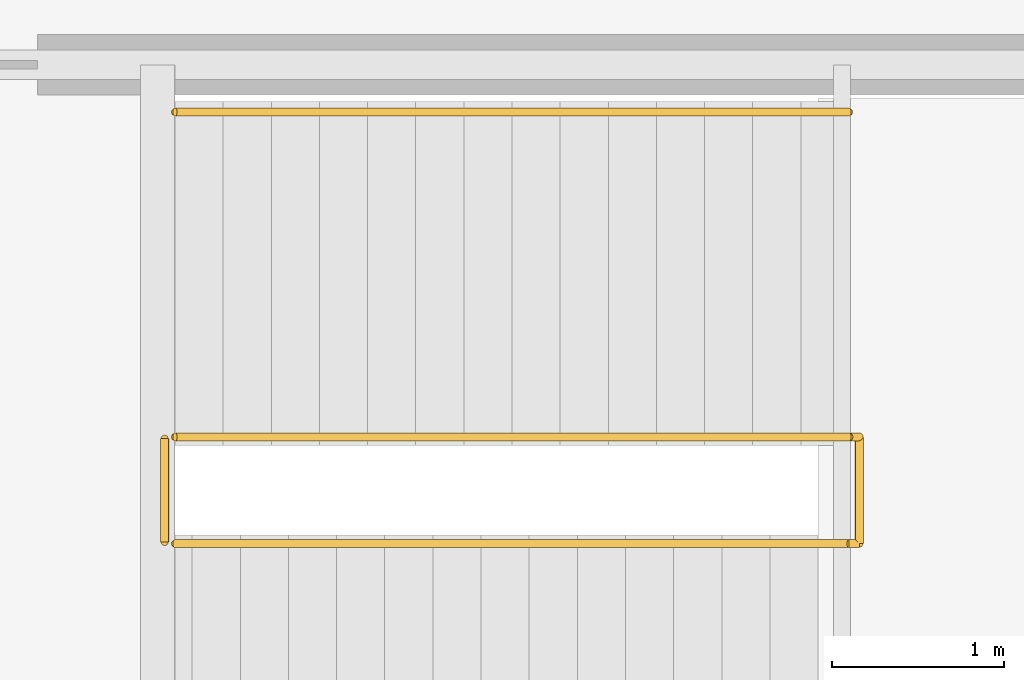
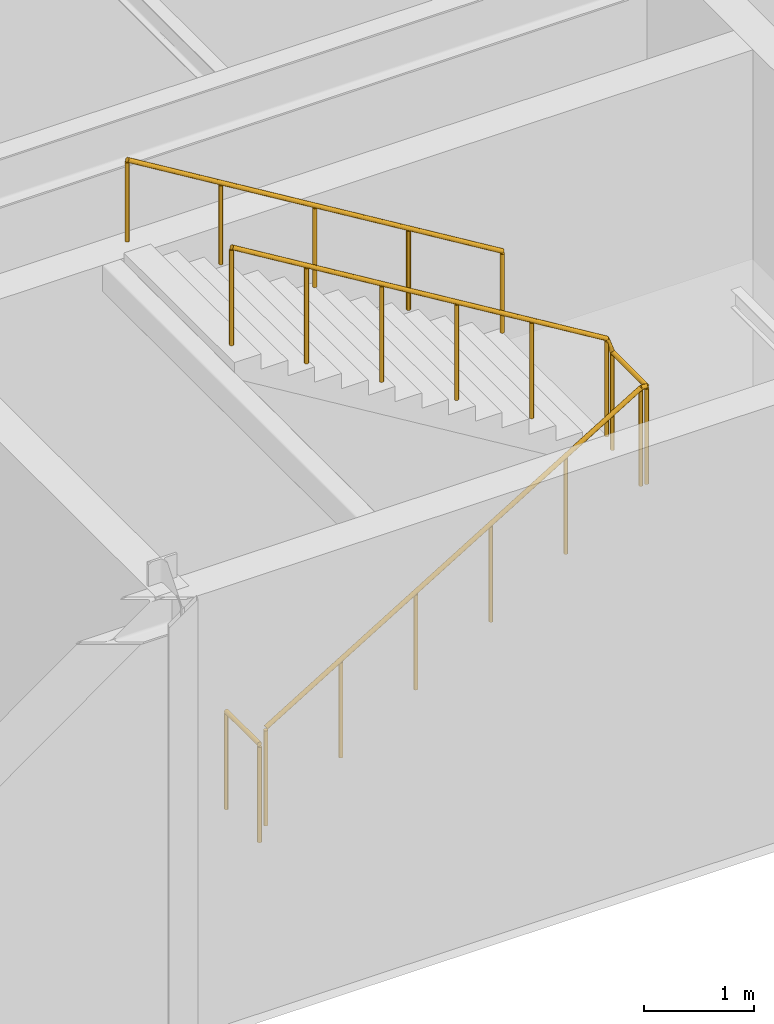
# One storey, part 74 of 79: 3 railings.
"""IFC4 building model written with IfcOpenShell, lengths in metres."""

from ifc_helpers import new_model, si_unit, direction, frame, origin, origin_2d, place, context, subcontext, project, spatial, circle, extrude, material, type_object, element, save


model = new_model("IFC4")

# Units and contexts
model_context = context("Model", 3, precision=1e-05, world=origin(), true_north=direction((0.0, 1.0)))
body_context = subcontext(model_context, "Body", "Model", "MODEL_VIEW")
ifc_project = project(units=[si_unit("LENGTHUNIT", "METRE"), si_unit("AREAUNIT", "SQUARE_METRE"), si_unit("VOLUMEUNIT", "CUBIC_METRE"), si_unit("PLANEANGLEUNIT", "RADIAN"), si_unit("MASSUNIT", "GRAM", prefix="KILO")], contexts=[model_context])

# Site, building, storey
site_placement = place(None, origin())
site = spatial("IfcSite", under=ifc_project, at=site_placement, CompositionType="ELEMENT")
building_placement = place(site_placement, origin())
building = spatial("IfcBuilding", under=site, at=building_placement, Name="Shalkamar Park Central Library", CompositionType="ELEMENT")
storey_placement = place(building_placement, frame((0.0, 0.0, 10.5)))
storey = spatial("IfcBuildingStorey", under=building, at=storey_placement, Name="L03", CompositionType="ELEMENT", Elevation=10.5)

# Railings
ifc_material = material(Name="Steel S355", Category="steel")
railing_type_1 = type_object("IfcRailingType", Name="Stair Guardrail 1100", PredefinedType="GUARDRAIL", material=ifc_material)
railing_1_placement = place(storey_placement, frame((248.22509765625, 250.56494140625, 0.169921875)))
element("IfcRailing", 1, at=railing_1_placement, inside=storey, type_object=railing_type_1, Name="Stair Inner Well Guardrail ST-P3-L03", PredefinedType="GUARDRAIL", context=body_context, shape_type="SweptSolid", body=[
    extrude(circle(Radius=0.02392578125, at=origin_2d()), frame((0.0, 0.0, 1.076171875), z_axis=(0.854770645689, 0.0, 0.519005918337), x_axis=(0.0, 1.0, 0.0)), (0.0, 0.0, 1.0), 4.5859375),
    extrude(circle(Radius=0.02392578125, at=origin_2d()), frame((3.919921875, 0.0, 3.4560546875), z_axis=(1.0, 0.0, 0.0), x_axis=(0.0, 1.0, 0.0)), (0.0, 0.0, 1.0), 0.06005859375),
    extrude(circle(Radius=0.02392578125, at=origin_2d()), frame((3.97998046875, 0.0, 3.4560546875), z_axis=(0.0, 1.0, 0.0), x_axis=(-1.0, 0.0, 0.0)), (0.0, 0.0, 1.0), 0.6201171875),
    extrude(circle(Radius=0.02392578125, at=origin_2d()), frame((3.97998046875, 0.6201171875, 3.4560546875), z_axis=(-0.333245237307, 0.0, 0.942840183601), x_axis=(0.0, -1.0, 0.0)), (0.0, 0.0, 1.0), 0.18017578125),
    extrude(circle(Radius=0.02392578125, at=origin_2d()), frame((3.919921875, 0.6201171875, 3.6259765625), z_axis=(-0.854770645689, 0.0, 0.519005918337), x_axis=(0.0, -1.0, 0.0)), (0.0, 0.0, 1.0), 4.5859375),
    extrude(circle(Radius=0.02099609375, at=origin_2d()), origin(), (0.0, 0.0, 1.0), 1.052001953125),
    extrude(circle(Radius=0.02099609375, at=origin_2d()), frame((0.783935546875, 0.0, 0.47607421875)), (0.0, 0.0, 1.0), 1.052001953125),
    extrude(circle(Radius=0.02099609375, at=origin_2d()), frame((1.56787109375, 0.0, 0.9521484375)), (0.0, 0.0, 1.0), 1.052001953125),
    extrude(circle(Radius=0.02099609375, at=origin_2d()), frame((2.35205078125, 0.0, 1.427978515625)), (0.0, 0.0, 1.0), 1.052001953125),
    extrude(circle(Radius=0.02099609375, at=origin_2d()), frame((3.135986328125, 0.0, 1.904052734375)), (0.0, 0.0, 1.0), 1.052001953125),
    extrude(circle(Radius=0.02099609375, at=origin_2d()), frame((3.919921875, 0.0, 2.380126953125)), (0.0, 0.0, 1.0), 1.052001953125),
    extrude(circle(Radius=0.02099609375, at=origin_2d()), frame((3.97998046875, 0.0, 2.380126953125)), (0.0, 0.0, 1.0), 1.052001953125),
    extrude(circle(Radius=0.02099609375, at=origin_2d()), frame((3.97998046875, 0.6201171875, 2.380126953125)), (0.0, 0.0, 1.0), 1.052001953125),
    extrude(circle(Radius=0.02099609375, at=origin_2d()), frame((3.919921875, 0.6201171875, 2.550048828125)), (0.0, 0.0, 1.0), 1.052001953125),
    extrude(circle(Radius=0.02099609375, at=origin_2d()), frame((3.135986328125, 0.6201171875, 3.026123046875)), (0.0, 0.0, 1.0), 1.052001953125),
    extrude(circle(Radius=0.02099609375, at=origin_2d()), frame((2.35205078125, 0.6201171875, 3.502197265625)), (0.0, 0.0, 1.0), 1.052001953125),
    extrude(circle(Radius=0.02099609375, at=origin_2d()), frame((1.56787109375, 0.6201171875, 3.97802734375)), (0.0, 0.0, 1.0), 1.052001953125),
    extrude(circle(Radius=0.02099609375, at=origin_2d()), frame((0.783935546875, 0.6201171875, 4.4541015625)), (0.0, 0.0, 1.0), 1.052001953125),
    extrude(circle(Radius=0.02099609375, at=origin_2d()), frame((0.0, 0.6201171875, 4.93017578125)), (0.0, 0.0, 1.0), 1.052001953125),
])
railing_2_placement = place(storey_placement, frame((248.1650390625, 250.574951171875, 0.0)))
element("IfcRailing", 2, at=railing_2_placement, inside=storey, type_object=railing_type_1, Name="Stair Arrival Well Guardrail ST-P3 (L03)", PredefinedType="GUARDRAIL", context=body_context, shape_type="SweptSolid", body=[
    extrude(circle(Radius=0.02392578125, at=origin_2d()), frame((0.0, 0.0, 1.076171875), z_axis=(0.0, 1.0, 0.0), x_axis=(-1.0, 0.0, 0.0)), (0.0, 0.0, 1.0), 0.60009765625),
    extrude(circle(Radius=0.02099609375, at=origin_2d()), origin(), (0.0, 0.0, 1.0), 1.052001953125),
    extrude(circle(Radius=0.02099609375, at=origin_2d()), frame((0.0, 0.60009765625, 0.0)), (0.0, 0.0, 1.0), 1.052001953125),
])
railing_type_2 = type_object("IfcRailingType", Name="Stair Pitched Handrail 920", PredefinedType="HANDRAIL", material=ifc_material)
railing_3_placement = place(storey_placement, frame((252.14501953125, 253.074951171875, 2.719970703125)))
element("IfcRailing", 3, at=railing_3_placement, inside=storey, type_object=railing_type_2, Name="Stair Wall Handrail ST-P3-L03 Flight 2", PredefinedType="HANDRAIL", context=body_context, shape_type="SweptSolid", body=[
    extrude(circle(Radius=0.02392578125, at=origin_2d()), frame((0.0, 0.0, 0.89599609375), z_axis=(-0.854770645689, 0.0, 0.519005918337), x_axis=(0.0, -1.0, 0.0)), (0.0, 0.0, 1.0), 4.5859375),
    extrude(circle(Radius=0.02099609375, at=origin_2d()), origin(), (0.0, 0.0, 1.0), 0.871826171875),
    extrude(circle(Radius=0.02099609375, at=origin_2d()), frame((-0.97998046875, 0.0, 0.594970703125)), (0.0, 0.0, 1.0), 0.871826171875),
    extrude(circle(Radius=0.02099609375, at=origin_2d()), frame((-1.9599609375, 0.0, 1.18994140625)), (0.0, 0.0, 1.0), 0.871826171875),
    extrude(circle(Radius=0.02099609375, at=origin_2d()), frame((-2.93994140625, 0.0, 1.78515625)), (0.0, 0.0, 1.0), 0.871826171875),
    extrude(circle(Radius=0.02099609375, at=origin_2d()), frame((-3.919921875, 0.0, 2.380126953125)), (0.0, 0.0, 1.0), 0.871826171875),
])

save(model, "model.ifc")
